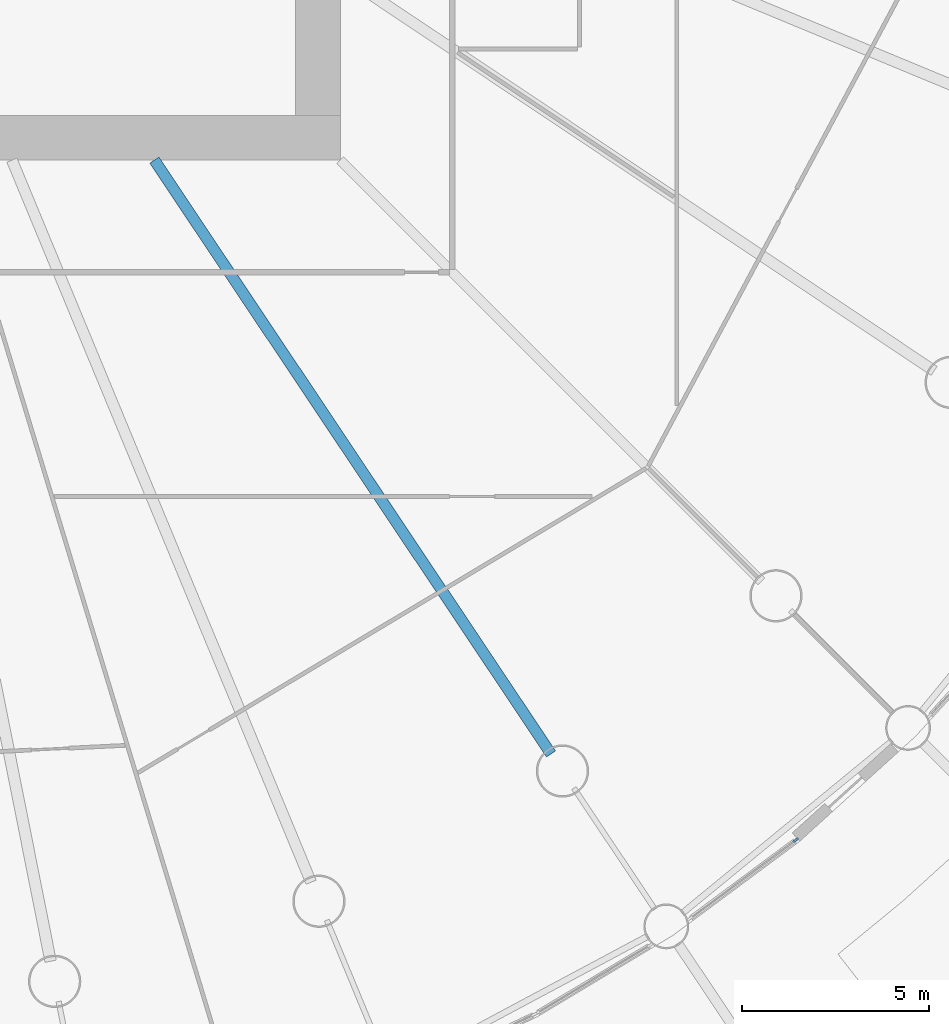
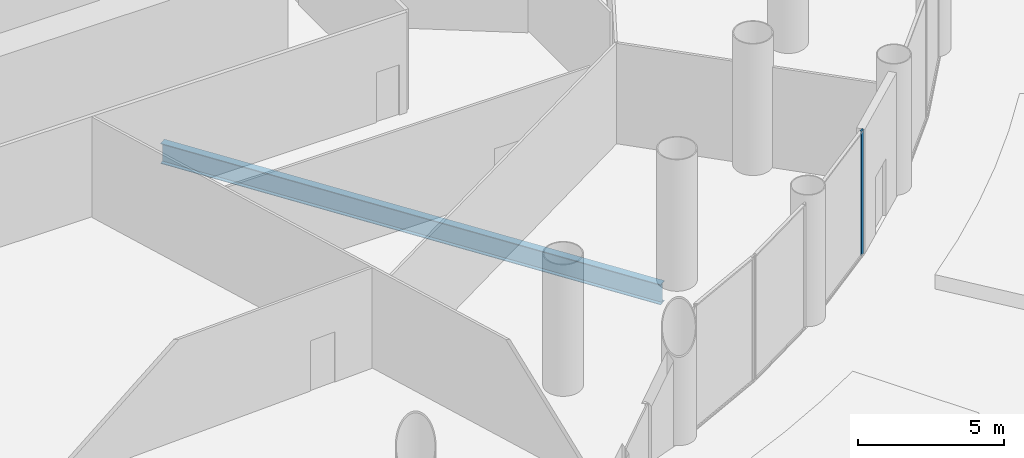
# One storey, part 11 of 36: 1 beam, 1 member, 1 element without a shape of its own.
"""IFC4 building model written with IfcOpenShell, lengths in metres."""

from ifc_helpers import new_model, si_unit, direction, frame, origin, origin_2d, place, context, subcontext, project, spatial, rectangle, i_section, extrude, material, material_profile, profile_set, type_object, element, aggregate, save


model = new_model("IFC4")

# Units and contexts
model_context = context("Model", 3, precision=1e-05, world=origin(), true_north=direction((0.0, 1.0)))
body_context = subcontext(model_context, "Body", "Model", "MODEL_VIEW")
ifc_project = project(units=[si_unit("LENGTHUNIT", "METRE"), si_unit("AREAUNIT", "SQUARE_METRE"), si_unit("VOLUMEUNIT", "CUBIC_METRE"), si_unit("PLANEANGLEUNIT", "RADIAN"), si_unit("MASSUNIT", "GRAM", prefix="KILO")], contexts=[model_context])

# Site, building, storey
site_placement = place(None, origin())
site = spatial("IfcSite", under=ifc_project, at=site_placement, CompositionType="ELEMENT")
building_placement = place(site_placement, origin())
building = spatial("IfcBuilding", under=site, at=building_placement, Name="Corvane Civic Tower", CompositionType="ELEMENT")
storey_placement = place(building_placement, frame((0.0, 0.0, 6.0)))
storey = spatial("IfcBuildingStorey", under=building, at=storey_placement, Name="L01", CompositionType="ELEMENT", Elevation=6.0)

# Beam
ifc_material_1 = material(Name="Steel ASTM A992 Gr 50", Category="steel")
ifc_material_profile_1 = material_profile(ifc_material_1, i_section(OverallWidth=0.2919921875, OverallDepth=0.845703125, WebThickness=0.015380859375, FlangeThickness=0.0244140625, at=origin_2d()), Name="W33X141")
ifc_profile_set_1 = profile_set([ifc_material_profile_1], Name="Steel ASTM A992 Gr 50")
beam_type = type_object("IfcBeamType", Name="FLOOR GIRDER W33X141", PredefinedType="BEAM", material=ifc_profile_set_1)
beam_placement = place(storey_placement, frame((10.022705078125, -15.0, -0.722900390625), z_axis=(0.555566681385, -0.831471985418, 0.0), x_axis=(0.831471985418, 0.555566681385, 0.0)))
element("IfcBeam", 1, at=beam_placement, inside=storey, type_object=beam_type, Name="BM-L01-G14", PredefinedType="BEAM", context=body_context, shape_type="SweptSolid", body=[
    extrude(i_section(OverallWidth=0.2919921875, OverallDepth=0.845703125, WebThickness=0.015380859375, FlangeThickness=0.0244140625, at=origin_2d()), origin(), (0.0, 0.0, 1.0), 19.109619140625),
])

# Curtain wall, member
ifc_material_2 = material(Name="Aluminium and glass", Category="aluminium")
curtain_wall_type = type_object("IfcCurtainWallType", Name="PODIUM-CW-P-RUN", PredefinedType="NOTDEFINED", material=ifc_material_2)
curtain_wall_placement = place(storey_placement, origin())
curtain_wall = element("IfcCurtainWall", 2, at=curtain_wall_placement, inside=storey, type_object=curtain_wall_type, Name="PODI run L01-drum-13B", PredefinedType="NOTDEFINED")
ifc_material_3 = material(Name="Anodised aluminium bronze", Category="aluminium")
ifc_material_profile_2 = material_profile(ifc_material_3, rectangle(XDim=0.06005859375, YDim=0.159912109375, at=origin_2d()), Name="AL 60x160")
ifc_profile_set_2 = profile_set([ifc_material_profile_2], Name="Anodised aluminium bronze")
member_type = type_object("IfcMemberType", Name="PODIUM-CWP-MULLION-60x160", PredefinedType="MULLION", material=ifc_profile_set_2)
member_placement = place(storey_placement, frame((27.18505859375, -33.197021484375, 0.0), z_axis=(0.0, 0.0, 1.0), x_axis=(0.595705104665, -0.803203229747, 0.0)))
member = element("IfcMember", 3, at=member_placement, type_object=member_type, Name="CW-P mullion 1", PredefinedType="MULLION", context=body_context, shape_type="SweptSolid", body=[
    extrude(rectangle(XDim=0.06005859375, YDim=0.159912109375, at=origin_2d()), origin(), (0.0, 0.0, 1.0), 5.199951171875),
])
aggregate(curtain_wall, [member])

save(model, "model.ifc")
